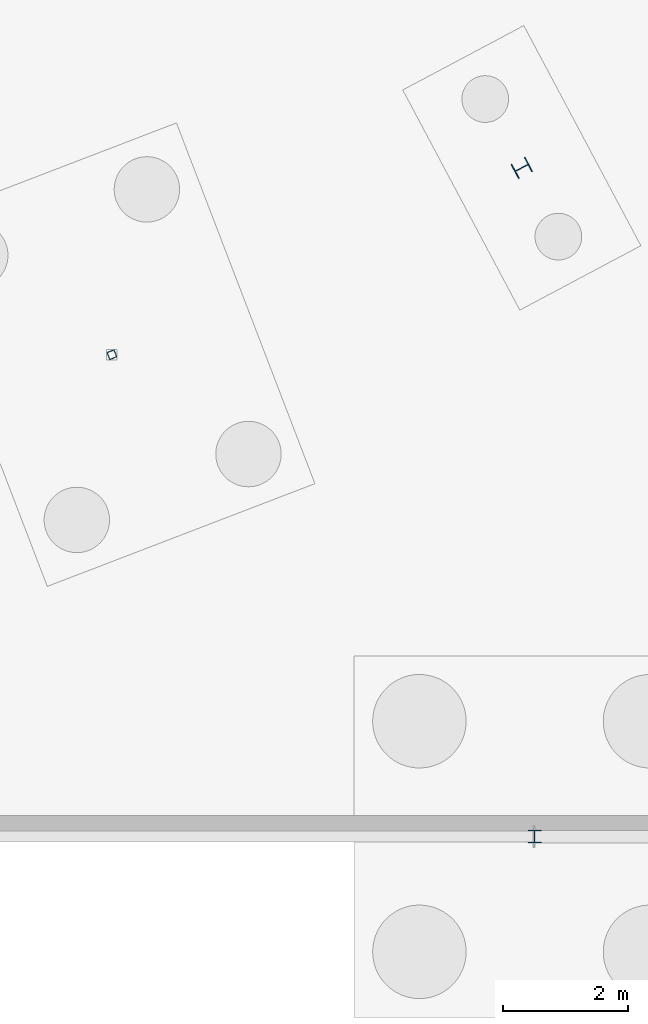
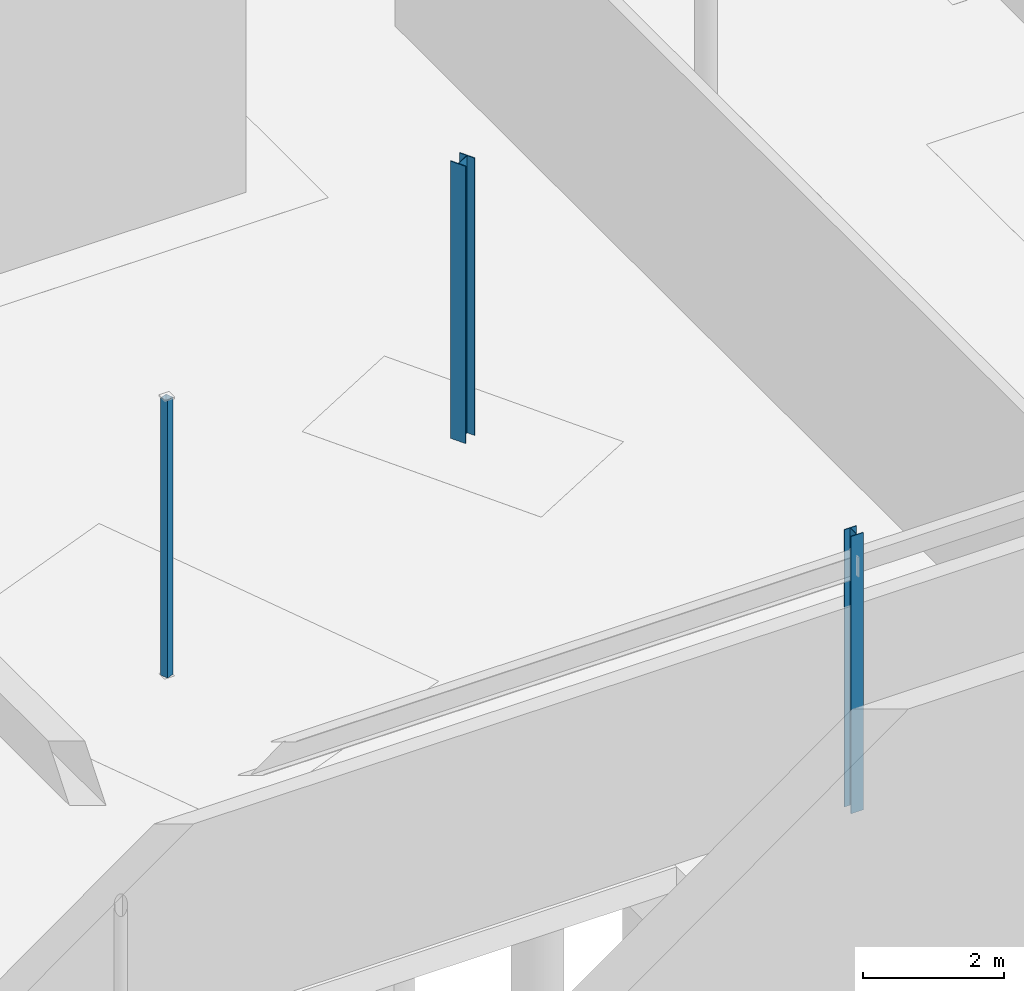
# One storey, part 43 of 136: 3 columns.
"""IFC4 building model written with IfcOpenShell, lengths in metres."""

from ifc_helpers import new_model, si_unit, direction, frame, origin, origin_2d, place, context, subcontext, project, spatial, hollow_rectangle, i_section, extrude, material, material_profile, profile_set, type_object, element, save


model = new_model("IFC4")

# Units and contexts
model_context = context("Model", 3, precision=1e-05, world=origin(), true_north=direction((0.0, 1.0)))
body_context = subcontext(model_context, "Body", "Model", "MODEL_VIEW")
ifc_project = project(units=[si_unit("LENGTHUNIT", "METRE"), si_unit("AREAUNIT", "SQUARE_METRE"), si_unit("VOLUMEUNIT", "CUBIC_METRE"), si_unit("PLANEANGLEUNIT", "RADIAN"), si_unit("MASSUNIT", "GRAM", prefix="KILO")], contexts=[model_context])

# Site, building, storey
site_placement = place(None, origin())
site = spatial("IfcSite", under=ifc_project, at=site_placement, CompositionType="ELEMENT")
building_placement = place(site_placement, origin())
building = spatial("IfcBuilding", under=site, at=building_placement, Name="Tarnwether General Hospital", CompositionType="ELEMENT")
storey_placement = place(building_placement, frame((0.0, 0.0, -4.800048828125)))
storey = spatial("IfcBuildingStorey", under=building, at=storey_placement, Name="LG", CompositionType="ELEMENT", Elevation=-4.800048828125)

# Columns
ifc_material_1 = material(Name="Steel Grade 350 (350 MPa)", Category="steel")
ifc_material_profile_1 = material_profile(ifc_material_1, i_section(OverallWidth=0.25390625, OverallDepth=0.25390625, WebThickness=0.008544921875, FlangeThickness=0.01416015625, at=origin_2d()), Name="250UC72.9")
ifc_profile_set_1 = profile_set([ifc_material_profile_1], Name="Steel Grade 350 (350 MPa)")
column_type_1 = type_object("IfcColumnType", Name="COL-24", PredefinedType="COLUMN", material=ifc_profile_set_1)
column_1_placement = place(storey_placement, frame((119.79296875, 10.72998046875, 0.0), z_axis=(0.0, 0.0, 1.0), x_axis=(-0.469471562786, 0.882947592859, 0.0)))
element("IfcColumn", 1, at=column_1_placement, inside=storey, type_object=column_type_1, Name="Column COLG-LG-11979_1073", PredefinedType="COLUMN", context=body_context, shape_type="SweptSolid", body=[
    extrude(i_section(OverallWidth=0.25390625, OverallDepth=0.25390625, WebThickness=0.008544921875, FlangeThickness=0.01416015625, at=origin_2d()), origin(), (0.0, 0.0, 1.0), 4.800048828125),
])
ifc_material_2 = material(Name="Steel Grade 350 (350 MPa)", Category="steel")
ifc_material_profile_2 = material_profile(ifc_material_2, i_section(OverallWidth=0.202880859375, OverallDepth=0.202880859375, WebThickness=0.00732421875, FlangeThickness=0.010986328125, at=origin_2d()), Name="200UC46.2")
ifc_profile_set_2 = profile_set([ifc_material_profile_2], Name="Steel Grade 350 (350 MPa)")
column_type_2 = type_object("IfcColumnType", Name="COL-27", PredefinedType="COLUMN", material=ifc_profile_set_2)
column_2_placement = place(storey_placement, frame((120.0, 0.0, 0.0), z_axis=(0.0, 0.0, 1.0), x_axis=(1.0, 0.0, 0.0)))
element("IfcColumn", 2, at=column_2_placement, inside=storey, type_object=column_type_2, Name="Column COLG-LG-12000_0", PredefinedType="COLUMN", context=body_context, shape_type="SweptSolid", body=[
    extrude(i_section(OverallWidth=0.202880859375, OverallDepth=0.202880859375, WebThickness=0.00732421875, FlangeThickness=0.010986328125, at=origin_2d()), origin(), (0.0, 0.0, 1.0), 4.800048828125),
])
ifc_material_3 = material(Name="Steel Grade C350L0 (350 MPa)", Category="steel")
ifc_material_profile_3 = material_profile(ifc_material_3, hollow_rectangle(XDim=0.125, YDim=0.125, WallThickness=0.006103515625, at=origin_2d()), Name="SHS125x125x6")
ifc_profile_set_3 = profile_set([ifc_material_profile_3], Name="Steel Grade C350L0 (350 MPa)")
column_type_3 = type_object("IfcColumnType", Name="COL-34", PredefinedType="COLUMN", material=ifc_profile_set_3)
column_3_placement = place(storey_placement, frame((113.215087890625, 7.73193359375, 0.0), z_axis=(0.0, 0.0, 1.0), x_axis=(-0.358367949545, 0.933580426497, 0.0)))
element("IfcColumn", 3, at=column_3_placement, inside=storey, type_object=column_type_3, Name="Column COLG-LG-11322_773", PredefinedType="COLUMN", context=body_context, shape_type="SweptSolid", body=[
    extrude(hollow_rectangle(XDim=0.125, YDim=0.125, WallThickness=0.006103515625, at=origin_2d()), origin(), (0.0, 0.0, 1.0), 4.800048828125),
])

save(model, "model.ifc")
